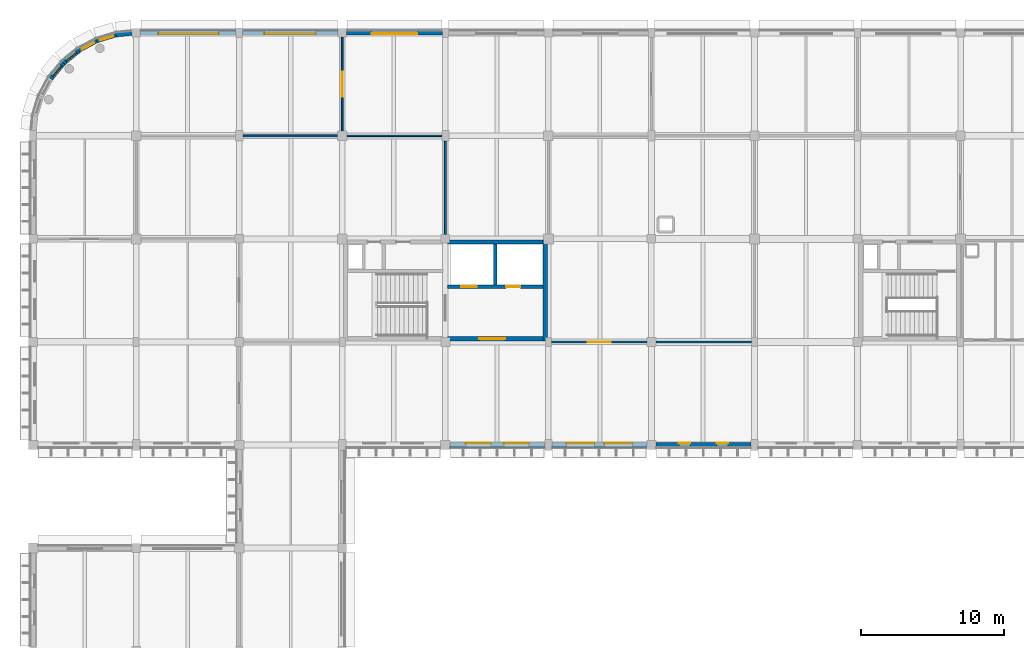
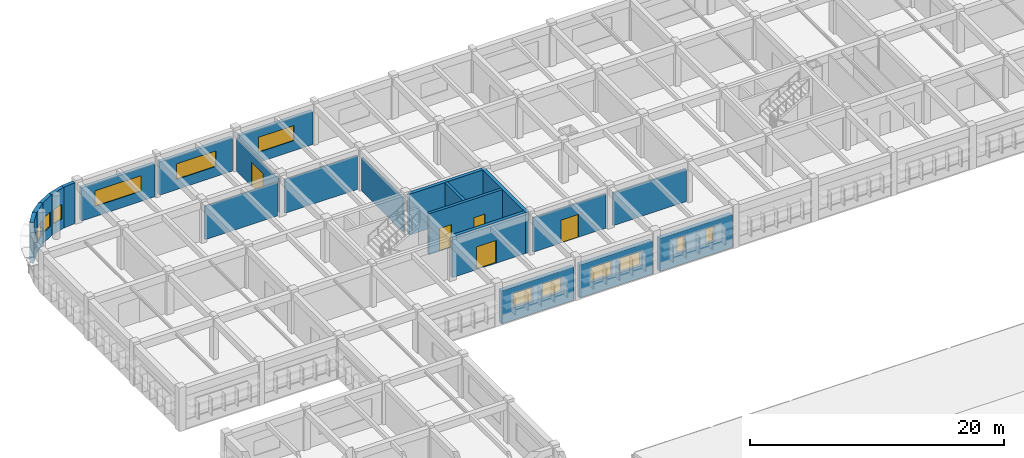
# One storey, part 87 of 103: 22 walls, 13 windows, 5 doors, 18 openings.
"""IFC4 building model written with IfcOpenShell, lengths in metres."""

from ifc_helpers import new_model, si_unit, direction, frame, frame_2d, origin, place, context, subcontext, project, spatial, rectangle, extrude, material, layer, layer_set, type_object, element, fill, save


model = new_model("IFC4")

# Units and contexts
model_context = context("Model", 3, precision=1e-05, world=origin(), true_north=direction((0.0, 1.0)))
body_context = subcontext(model_context, "Body", "Model", "MODEL_VIEW")
ifc_project = project(units=[si_unit("LENGTHUNIT", "METRE"), si_unit("AREAUNIT", "SQUARE_METRE"), si_unit("VOLUMEUNIT", "CUBIC_METRE"), si_unit("PLANEANGLEUNIT", "RADIAN"), si_unit("MASSUNIT", "GRAM", prefix="KILO")], contexts=[model_context])

# Site, building, storey
site_placement = place(None, origin())
site = spatial("IfcSite", under=ifc_project, at=site_placement, CompositionType="ELEMENT")
building_placement = place(site_placement, origin())
building = spatial("IfcBuilding", under=site, at=building_placement, Name="Thalmaran Polytechnic", CompositionType="ELEMENT")
storey_placement = place(building_placement, frame((0.0, 0.0, 14.39990234375)))
storey = spatial("IfcBuildingStorey", under=building, at=storey_placement, Name="L03", CompositionType="ELEMENT", Elevation=14.39990234375)

# Wall, opening, window
ifc_material_1 = material(Name="Precast concrete C40/50", Category="concrete")
ifc_layer_1 = layer(ifc_material_1, 0.360107421875, Name="Precast concrete C40/50")
ifc_layer_set_1 = layer_set([ifc_layer_1], Name="Precast concrete C40/50")
wall_type_1 = type_object("IfcWallType", Name="WL-EW01", PredefinedType="STANDARD", material=ifc_layer_set_1)
wall_1_placement = place(storey_placement, frame((1.21337890625, 119.2001953125, 0.0), z_axis=(0.0, 0.0, 1.0), x_axis=(0.634433227965, 0.772977670605, 0.0)))
wall_1 = element("IfcWall", 1, at=wall_1_placement, inside=storey, type_object=wall_type_1, Name="Exterior Precast Facade Wall L03-052", PredefinedType="STANDARD", context=body_context, shape_type="SweptSolid", body=[
    extrude(rectangle(XDim=1.41162109375, YDim=0.360107421875, at=frame_2d((0.705810546875, 0.0))), origin(), (0.0, 0.0, 1.0), 3.940185546875),
])
opening_1_placement = place(wall_1_placement, frame((0.2255859375, 0.0, 1.0)))
opening_1 = element("IfcOpeningElement", 2, at=opening_1_placement, cuts=wall_1, Name="Opening CR01", PredefinedType="OPENING", context=body_context, shape_type="SweptSolid", body=[
    extrude(rectangle(XDim=0.9599609375, YDim=1.39990234375, at=frame_2d((0.47998046875, 0.699951171875))), frame((0.0, 0.18994140625, 0.0), z_axis=(0.0, -1.0, 0.0), x_axis=(1.0, 0.0, 0.0)), (0.0, 0.0, 1.0), 0.380126953125),
])
ifc_material_2 = material(Name="Thermally broken aluminium and double low-E glass", Category="aluminium")
window_type_1 = type_object("IfcWindowType", Name="WN-CR01", PartitioningType="SINGLE_PANEL", PredefinedType="WINDOW", material=ifc_material_2)
window_1_placement = place(opening_1_placement, origin())
window_1 = element("IfcWindow", 3, at=window_1_placement, inside=storey, type_object=window_type_1, Name="Curved Prow Ribbon Window W-0458", OverallHeight=1.39990234375, OverallWidth=0.9599609375, PartitioningType="SINGLE_PANEL", PredefinedType="WINDOW", context=body_context, shape_type="SweptSolid", body=[
    extrude(rectangle(XDim=0.9599609375, YDim=1.39990234375, at=frame_2d((0.47998046875, 0.699951171875))), frame((0.0, -0.010009765625, 0.0), z_axis=(0.0, -1.0, 0.0), x_axis=(1.0, 0.0, 0.0)), (0.0, 0.0, 1.0), 0.06005859375),
])
fill(opening_1, window_1)

wall_2_placement = place(storey_placement, frame((2.10888671875, 120.291259765625, 0.0), z_axis=(0.0, 0.0, 1.0), x_axis=(0.773062495189, 0.63432986571, 0.0)))
wall_2 = element("IfcWall", 4, at=wall_2_placement, inside=storey, type_object=wall_type_1, Name="Exterior Precast Facade Wall L03-053", PredefinedType="STANDARD", context=body_context, shape_type="SweptSolid", body=[
    extrude(rectangle(XDim=1.411376953125, YDim=0.360107421875, at=frame_2d((0.70556640625, 0.0))), origin(), (0.0, 0.0, 1.0), 3.940185546875),
])
opening_2_placement = place(wall_2_placement, frame((0.2255859375, 0.0, 1.0)))
opening_2 = element("IfcOpeningElement", 5, at=opening_2_placement, cuts=wall_2, Name="Opening CR01", PredefinedType="OPENING", context=body_context, shape_type="SweptSolid", body=[
    extrude(rectangle(XDim=0.9599609375, YDim=1.39990234375, at=frame_2d((0.47998046875, 0.699951171875))), frame((0.0, 0.18994140625, 0.0), z_axis=(0.0, -1.0, 0.0), x_axis=(1.0, 0.0, 0.0)), (0.0, 0.0, 1.0), 0.380126953125),
])
window_2_placement = place(opening_2_placement, origin())
window_2 = element("IfcWindow", 6, at=window_2_placement, inside=storey, type_object=window_type_1, Name="Curved Prow Ribbon Window W-0459", OverallHeight=1.39990234375, OverallWidth=0.9599609375, PartitioningType="SINGLE_PANEL", PredefinedType="WINDOW", context=body_context, shape_type="SweptSolid", body=[
    extrude(rectangle(XDim=0.9599609375, YDim=1.39990234375, at=frame_2d((0.47998046875, 0.699951171875))), frame((0.0, -0.010009765625, 0.0), z_axis=(0.0, -1.0, 0.0), x_axis=(1.0, 0.0, 0.0)), (0.0, 0.0, 1.0), 0.06005859375),
])
fill(opening_2, window_2)

# Wall, openings, windows
wall_3_placement = place(storey_placement, frame((50.14990234375, 93.60009765625, 0.0), z_axis=(0.0, 0.0, 1.0), x_axis=(-1.0, 0.0, 0.0)))
wall_3 = element("IfcWall", 7, at=wall_3_placement, inside=storey, type_object=wall_type_1, Name="Exterior Precast Facade Wall L03-085", PredefinedType="STANDARD", context=body_context, shape_type="SweptSolid", body=[
    extrude(rectangle(XDim=6.625, YDim=0.360107421875, at=frame_2d((3.3125, 0.0))), origin(), (0.0, 0.0, 1.0), 3.18505859375),
])
opening_3_placement = place(wall_3_placement, frame((1.58740234375, 0.0, 1.14990234375)))
opening_3 = element("IfcOpeningElement", 8, at=opening_3_placement, cuts=wall_3, Name="Opening PW16", PredefinedType="OPENING", context=body_context, shape_type="SweptSolid", body=[
    extrude(rectangle(XDim=0.800048828125, YDim=1.5, at=frame_2d((0.39990234375, 0.75))), frame((0.0, 0.18994140625, 0.0), z_axis=(0.0, -1.0, 0.0), x_axis=(1.0, 0.0, 0.0)), (0.0, 0.0, 1.0), 0.380126953125),
])
opening_4_placement = place(wall_3_placement, frame((4.237548828125, 0.0, 1.14990234375)))
opening_4 = element("IfcOpeningElement", 9, at=opening_4_placement, cuts=wall_3, Name="Opening PW16", PredefinedType="OPENING", context=body_context, shape_type="SweptSolid", body=[
    extrude(rectangle(XDim=0.800048828125, YDim=1.5, at=frame_2d((0.39990234375, 0.75))), frame((0.0, 0.18994140625, 0.0), z_axis=(0.0, -1.0, 0.0), x_axis=(1.0, 0.0, 0.0)), (0.0, 0.0, 1.0), 0.380126953125),
])
window_type_2 = type_object("IfcWindowType", Name="WN-PW06", PartitioningType="SINGLE_PANEL", PredefinedType="WINDOW", material=ifc_material_2)
window_3_placement = place(opening_3_placement, origin())
window_3 = element("IfcWindow", 10, at=window_3_placement, inside=storey, type_object=window_type_2, Name="Deep-Set Solar-Screened Window W-0499", OverallHeight=1.5, OverallWidth=0.800048828125, PartitioningType="SINGLE_PANEL", PredefinedType="WINDOW", context=body_context, shape_type="SweptSolid", body=[
    extrude(rectangle(XDim=0.800048828125, YDim=1.5, at=frame_2d((0.39990234375, 0.75))), frame((0.0, -0.080078125, 0.0), z_axis=(0.0, -1.0, 0.0), x_axis=(1.0, 0.0, 0.0)), (0.0, 0.0, 1.0), 0.06005859375),
])
fill(opening_3, window_3)
window_4_placement = place(opening_4_placement, origin())
window_4 = element("IfcWindow", 11, at=window_4_placement, inside=storey, type_object=window_type_2, Name="Deep-Set Solar-Screened Window W-0500", OverallHeight=1.5, OverallWidth=0.800048828125, PartitioningType="SINGLE_PANEL", PredefinedType="WINDOW", context=body_context, shape_type="SweptSolid", body=[
    extrude(rectangle(XDim=0.800048828125, YDim=1.5, at=frame_2d((0.39990234375, 0.75))), frame((0.0, -0.080078125, 0.0), z_axis=(0.0, -1.0, 0.0), x_axis=(1.0, 0.0, 0.0)), (0.0, 0.0, 1.0), 0.06005859375),
])
fill(opening_4, window_4)

wall_4_placement = place(storey_placement, frame((42.875, 93.60009765625, 0.0), z_axis=(0.0, 0.0, 1.0), x_axis=(-1.0, 0.0, 0.0)))
wall_4 = element("IfcWall", 12, at=wall_4_placement, inside=storey, type_object=wall_type_1, Name="Exterior Precast Facade Wall L03-086", PredefinedType="STANDARD", context=body_context, shape_type="SweptSolid", body=[
    extrude(rectangle(XDim=6.625, YDim=0.360107421875, at=frame_2d((3.3125, 0.0))), origin(), (0.0, 0.0, 1.0), 3.18505859375),
])
opening_5_placement = place(wall_4_placement, frame((1.012451171875, 0.0, 1.14990234375)))
opening_5 = element("IfcOpeningElement", 13, at=opening_5_placement, cuts=wall_4, Name="Opening VW07", PredefinedType="OPENING", context=body_context, shape_type="SweptSolid", body=[
    extrude(rectangle(XDim=1.949951171875, YDim=1.39990234375, at=frame_2d((0.97509765625, 0.699951171875))), frame((0.0, 0.18994140625, 0.0), z_axis=(0.0, -1.0, 0.0), x_axis=(1.0, 0.0, 0.0)), (0.0, 0.0, 1.0), 0.380126953125),
])
opening_6_placement = place(wall_4_placement, frame((3.66259765625, 0.0, 1.14990234375)))
opening_6 = element("IfcOpeningElement", 14, at=opening_6_placement, cuts=wall_4, Name="Opening VW07", PredefinedType="OPENING", context=body_context, shape_type="SweptSolid", body=[
    extrude(rectangle(XDim=1.949951171875, YDim=1.39990234375, at=frame_2d((0.97509765625, 0.699951171875))), frame((0.0, 0.18994140625, 0.0), z_axis=(0.0, -1.0, 0.0), x_axis=(1.0, 0.0, 0.0)), (0.0, 0.0, 1.0), 0.380126953125),
])
window_type_3 = type_object("IfcWindowType", Name="WN-VZ07", PartitioningType="SINGLE_PANEL", PredefinedType="WINDOW", material=ifc_material_2)
window_5_placement = place(opening_5_placement, origin())
window_5 = element("IfcWindow", 15, at=window_5_placement, inside=storey, type_object=window_type_3, Name="Deep-Set Solar-Screened Window W-0501", OverallHeight=1.39990234375, OverallWidth=1.949951171875, PartitioningType="SINGLE_PANEL", PredefinedType="WINDOW", context=body_context, shape_type="SweptSolid", body=[
    extrude(rectangle(XDim=1.949951171875, YDim=1.39990234375, at=frame_2d((0.97509765625, 0.699951171875))), frame((0.0, -0.080078125, 0.0), z_axis=(0.0, -1.0, 0.0), x_axis=(1.0, 0.0, 0.0)), (0.0, 0.0, 1.0), 0.06005859375),
])
fill(opening_5, window_5)
window_6_placement = place(opening_6_placement, origin())
window_6 = element("IfcWindow", 16, at=window_6_placement, inside=storey, type_object=window_type_3, Name="Deep-Set Solar-Screened Window W-0502", OverallHeight=1.39990234375, OverallWidth=1.949951171875, PartitioningType="SINGLE_PANEL", PredefinedType="WINDOW", context=body_context, shape_type="SweptSolid", body=[
    extrude(rectangle(XDim=1.949951171875, YDim=1.39990234375, at=frame_2d((0.97509765625, 0.699951171875))), frame((0.0, -0.080078125, 0.0), z_axis=(0.0, -1.0, 0.0), x_axis=(1.0, 0.0, 0.0)), (0.0, 0.0, 1.0), 0.06005859375),
])
fill(opening_6, window_6)

wall_5_placement = place(storey_placement, frame((35.75, 93.60009765625, 0.0), z_axis=(0.0, 0.0, 1.0), x_axis=(-1.0, 0.0, 0.0)))
wall_5 = element("IfcWall", 17, at=wall_5_placement, inside=storey, type_object=wall_type_1, Name="Exterior Precast Facade Wall L03-087", PredefinedType="STANDARD", context=body_context, shape_type="SweptSolid", body=[
    extrude(rectangle(XDim=6.625, YDim=0.360107421875, at=frame_2d((3.3125, 0.0))), origin(), (0.0, 0.0, 1.0), 3.18505859375),
])
opening_7_placement = place(wall_5_placement, frame((1.112548828125, 0.0, 1.14990234375)))
opening_7 = element("IfcOpeningElement", 18, at=opening_7_placement, cuts=wall_5, Name="Opening VW08", PredefinedType="OPENING", context=body_context, shape_type="SweptSolid", body=[
    extrude(rectangle(XDim=1.75, YDim=1.39990234375, at=frame_2d((0.875, 0.699951171875))), frame((0.0, 0.18994140625, 0.0), z_axis=(0.0, -1.0, 0.0), x_axis=(1.0, 0.0, 0.0)), (0.0, 0.0, 1.0), 0.380126953125),
])
opening_8_placement = place(wall_5_placement, frame((3.762451171875, 0.0, 1.14990234375)))
opening_8 = element("IfcOpeningElement", 19, at=opening_8_placement, cuts=wall_5, Name="Opening VW08", PredefinedType="OPENING", context=body_context, shape_type="SweptSolid", body=[
    extrude(rectangle(XDim=1.75, YDim=1.39990234375, at=frame_2d((0.875, 0.699951171875))), frame((0.0, 0.18994140625, 0.0), z_axis=(0.0, -1.0, 0.0), x_axis=(1.0, 0.0, 0.0)), (0.0, 0.0, 1.0), 0.380126953125),
])
window_type_4 = type_object("IfcWindowType", Name="WN-VZ08", PartitioningType="SINGLE_PANEL", PredefinedType="WINDOW", material=ifc_material_2)
window_7_placement = place(opening_7_placement, origin())
window_7 = element("IfcWindow", 20, at=window_7_placement, inside=storey, type_object=window_type_4, Name="Deep-Set Solar-Screened Window W-0503", OverallHeight=1.39990234375, OverallWidth=1.75, PartitioningType="SINGLE_PANEL", PredefinedType="WINDOW", context=body_context, shape_type="SweptSolid", body=[
    extrude(rectangle(XDim=1.75, YDim=1.39990234375, at=frame_2d((0.875, 0.699951171875))), frame((0.0, -0.080078125, 0.0), z_axis=(0.0, -1.0, 0.0), x_axis=(1.0, 0.0, 0.0)), (0.0, 0.0, 1.0), 0.06005859375),
])
fill(opening_7, window_7)
window_8_placement = place(opening_8_placement, origin())
window_8 = element("IfcWindow", 21, at=window_8_placement, inside=storey, type_object=window_type_4, Name="Deep-Set Solar-Screened Window W-0504", OverallHeight=1.39990234375, OverallWidth=1.75, PartitioningType="SINGLE_PANEL", PredefinedType="WINDOW", context=body_context, shape_type="SweptSolid", body=[
    extrude(rectangle(XDim=1.75, YDim=1.39990234375, at=frame_2d((0.875, 0.699951171875))), frame((0.0, -0.080078125, 0.0), z_axis=(0.0, -1.0, 0.0), x_axis=(1.0, 0.0, 0.0)), (0.0, 0.0, 1.0), 0.06005859375),
])
fill(opening_8, window_8)

# Wall, opening, window
ifc_layer_2 = layer(ifc_material_1, 0.31005859375, Name="Precast concrete C40/50")
ifc_layer_set_2 = layer_set([ifc_layer_2], Name="Precast concrete C40/50")
wall_type_2 = type_object("IfcWallType", Name="WL-EW03", PredefinedType="STANDARD", material=ifc_layer_set_2)
wall_6_placement = place(storey_placement, frame((3.199951171875, 121.1865234375, 0.0), z_axis=(0.0, 0.0, 1.0), x_axis=(0.881844864465, 0.471539643102, 0.0)))
wall_6 = element("IfcWall", 22, at=wall_6_placement, inside=storey, type_object=wall_type_2, Name="Exterior Precast Facade Wall L03-054", PredefinedType="STANDARD", context=body_context, shape_type="SweptSolid", body=[
    extrude(rectangle(XDim=1.411376953125, YDim=0.31005859375, at=frame_2d((0.70556640625, 0.0))), origin(), (0.0, 0.0, 1.0), 3.940185546875),
])
opening_9_placement = place(wall_6_placement, frame((0.2255859375, 0.0, 1.0)))
opening_9 = element("IfcOpeningElement", 23, at=opening_9_placement, cuts=wall_6, Name="Opening CR01", PredefinedType="OPENING", context=body_context, shape_type="SweptSolid", body=[
    extrude(rectangle(XDim=0.9599609375, YDim=1.39990234375, at=frame_2d((0.47998046875, 0.699951171875))), frame((0.0, 0.1650390625, 0.0), z_axis=(0.0, -1.0, 0.0), x_axis=(1.0, 0.0, 0.0)), (0.0, 0.0, 1.0), 0.330078125),
])
window_9_placement = place(opening_9_placement, origin())
window_9 = element("IfcWindow", 24, at=window_9_placement, inside=storey, type_object=window_type_1, Name="Curved Prow Ribbon Window W-0460", OverallHeight=1.39990234375, OverallWidth=0.9599609375, PartitioningType="SINGLE_PANEL", PredefinedType="WINDOW", context=body_context, shape_type="SweptSolid", body=[
    extrude(rectangle(XDim=0.9599609375, YDim=1.39990234375, at=frame_2d((0.47998046875, 0.699951171875))), frame((0.0, -0.010009765625, 0.0), z_axis=(0.0, -1.0, 0.0), x_axis=(1.0, 0.0, 0.0)), (0.0, 0.0, 1.0), 0.06005859375),
])
fill(opening_9, window_9)

wall_7_placement = place(storey_placement, frame((4.444580078125, 121.85205078125, 0.0), z_axis=(0.0, 0.0, 1.0), x_axis=(0.95696037757, 0.290218599957, 0.0)))
wall_7 = element("IfcWall", 25, at=wall_7_placement, inside=storey, type_object=wall_type_2, Name="Exterior Precast Facade Wall L03-055", PredefinedType="STANDARD", context=body_context, shape_type="SweptSolid", body=[
    extrude(rectangle(XDim=1.41162109375, YDim=0.31005859375, at=frame_2d((0.705810546875, 0.0))), origin(), (0.0, 0.0, 1.0), 3.940185546875),
])
opening_10_placement = place(wall_7_placement, frame((0.2255859375, 0.0, 1.0)))
opening_10 = element("IfcOpeningElement", 26, at=opening_10_placement, cuts=wall_7, Name="Opening CR01", PredefinedType="OPENING", context=body_context, shape_type="SweptSolid", body=[
    extrude(rectangle(XDim=0.9599609375, YDim=1.39990234375, at=frame_2d((0.47998046875, 0.699951171875))), frame((0.0, 0.1650390625, 0.0), z_axis=(0.0, -1.0, 0.0), x_axis=(1.0, 0.0, 0.0)), (0.0, 0.0, 1.0), 0.330078125),
])
window_10_placement = place(opening_10_placement, origin())
window_10 = element("IfcWindow", 27, at=window_10_placement, inside=storey, type_object=window_type_1, Name="Curved Prow Ribbon Window W-0461", OverallHeight=1.39990234375, OverallWidth=0.9599609375, PartitioningType="SINGLE_PANEL", PredefinedType="WINDOW", context=body_context, shape_type="SweptSolid", body=[
    extrude(rectangle(XDim=0.9599609375, YDim=1.39990234375, at=frame_2d((0.47998046875, 0.699951171875))), frame((0.0, -0.010009765625, 0.0), z_axis=(0.0, -1.0, 0.0), x_axis=(1.0, 0.0, 0.0)), (0.0, 0.0, 1.0), 0.06005859375),
])
fill(opening_10, window_10)

# Wall
wall_8_placement = place(storey_placement, frame((5.79541015625, 122.26171875, 0.0), z_axis=(0.0, 0.0, 1.0), x_axis=(0.99518962033, 0.097967441467, 0.0)))
element("IfcWall", 28, at=wall_8_placement, inside=storey, type_object=wall_type_2, Name="Exterior Precast Facade Wall L03-056", PredefinedType="STANDARD", context=body_context, shape_type="SweptSolid", body=[
    extrude(rectangle(XDim=1.1015625, YDim=0.31005859375, at=frame_2d((0.55078125, 0.0))), origin(), (0.0, 0.0, 1.0), 3.940185546875),
])

# Wall, opening, window
wall_9_placement = place(storey_placement, frame((7.510009765625, 122.39990234375, 0.0), z_axis=(0.0, 0.0, 1.0), x_axis=(1.0, 0.0, 0.0)))
wall_9 = element("IfcWall", 29, at=wall_9_placement, inside=storey, type_object=wall_type_2, Name="Exterior Precast Facade Wall L03-057", PredefinedType="STANDARD", context=body_context, shape_type="SweptSolid", body=[
    extrude(rectangle(XDim=6.679931640625, YDim=0.31005859375, at=frame_2d((3.33984375, 0.0))), origin(), (0.0, 0.0, 1.0), 3.18505859375),
])
opening_11_placement = place(wall_9_placement, frame((1.239990234375, 0.0, 0.97998046875)))
opening_11 = element("IfcOpeningElement", 30, at=opening_11_placement, cuts=wall_9, Name="Opening RW02", PredefinedType="OPENING", context=body_context, shape_type="SweptSolid", body=[
    extrude(rectangle(XDim=4.199951171875, YDim=1.5, at=frame_2d((2.10009765625, 0.75))), frame((0.0, 0.1650390625, 0.0), z_axis=(0.0, -1.0, 0.0), x_axis=(1.0, 0.0, 0.0)), (0.0, 0.0, 1.0), 0.330078125),
])
window_type_5 = type_object("IfcWindowType", Name="WN-RW02", PartitioningType="TRIPLE_PANEL_HORIZONTAL", PredefinedType="WINDOW", material=ifc_material_2)
window_11_placement = place(opening_11_placement, origin())
window_11 = element("IfcWindow", 31, at=window_11_placement, inside=storey, type_object=window_type_5, Name="Streamline Ribbon Window W-0462", OverallHeight=1.5, OverallWidth=4.199951171875, PartitioningType="SINGLE_PANEL", PredefinedType="WINDOW", context=body_context, shape_type="SweptSolid", body=[
    extrude(rectangle(XDim=4.199951171875, YDim=1.5, at=frame_2d((2.10009765625, 0.75))), frame((0.0, -0.030029296875, 0.0), z_axis=(0.0, -1.0, 0.0), x_axis=(1.0, 0.0, 0.0)), (0.0, 0.0, 1.0), 0.06005859375),
])
fill(opening_11, window_11)

wall_10_placement = place(storey_placement, frame((14.610107421875, 122.39990234375, 0.0), z_axis=(0.0, 0.0, 1.0), x_axis=(1.0, 0.0, 0.0)))
wall_10 = element("IfcWall", 32, at=wall_10_placement, inside=storey, type_object=wall_type_2, Name="Exterior Precast Facade Wall L03-058", PredefinedType="STANDARD", context=body_context, shape_type="SweptSolid", body=[
    extrude(rectangle(XDim=6.679931640625, YDim=0.31005859375, at=frame_2d((3.33984375, 0.0))), origin(), (0.0, 0.0, 1.0), 3.18505859375),
])
opening_12_placement = place(wall_10_placement, frame((1.5400390625, 0.0, 0.97998046875)))
opening_12 = element("IfcOpeningElement", 33, at=opening_12_placement, cuts=wall_10, Name="Opening RW03", PredefinedType="OPENING", context=body_context, shape_type="SweptSolid", body=[
    extrude(rectangle(XDim=3.60009765625, YDim=1.5, at=frame_2d((1.800048828125, 0.75))), frame((0.0, 0.1650390625, 0.0), z_axis=(0.0, -1.0, 0.0), x_axis=(1.0, 0.0, 0.0)), (0.0, 0.0, 1.0), 0.330078125),
])
window_type_6 = type_object("IfcWindowType", Name="WN-RW03", PartitioningType="DOUBLE_PANEL_VERTICAL", PredefinedType="WINDOW", material=ifc_material_2)
window_12_placement = place(opening_12_placement, origin())
window_12 = element("IfcWindow", 34, at=window_12_placement, inside=storey, type_object=window_type_6, Name="Streamline Ribbon Window W-0463", OverallHeight=1.5, OverallWidth=3.60009765625, PartitioningType="SINGLE_PANEL", PredefinedType="WINDOW", context=body_context, shape_type="SweptSolid", body=[
    extrude(rectangle(XDim=3.60009765625, YDim=1.5, at=frame_2d((1.800048828125, 0.75))), frame((0.0, -0.030029296875, 0.0), z_axis=(0.0, -1.0, 0.0), x_axis=(1.0, 0.0, 0.0)), (0.0, 0.0, 1.0), 0.06005859375),
])
fill(opening_12, window_12)

wall_11_placement = place(storey_placement, frame((21.909912109375, 122.39990234375, 0.0), z_axis=(0.0, 0.0, 1.0), x_axis=(1.0, 0.0, 0.0)))
wall_11 = element("IfcWall", 35, at=wall_11_placement, inside=storey, type_object=wall_type_2, Name="Exterior Precast Facade Wall L03-059", PredefinedType="STANDARD", context=body_context, shape_type="SweptSolid", body=[
    extrude(rectangle(XDim=6.68017578125, YDim=0.31005859375, at=frame_2d((3.340087890625, 0.0))), origin(), (0.0, 0.0, 1.0), 3.18505859375),
])
opening_13_placement = place(wall_11_placement, frame((1.739990234375, 0.0, 0.97998046875)))
opening_13 = element("IfcOpeningElement", 36, at=opening_13_placement, cuts=wall_11, Name="Opening RW04", PredefinedType="OPENING", context=body_context, shape_type="SweptSolid", body=[
    extrude(rectangle(XDim=3.199951171875, YDim=1.449951171875, at=frame_2d((1.60009765625, 0.72509765625))), frame((0.0, 0.1650390625, 0.0), z_axis=(0.0, -1.0, 0.0), x_axis=(1.0, 0.0, 0.0)), (0.0, 0.0, 1.0), 0.330078125),
])
window_type_7 = type_object("IfcWindowType", Name="WN-RW04", PartitioningType="DOUBLE_PANEL_VERTICAL", PredefinedType="WINDOW", material=ifc_material_2)
window_13_placement = place(opening_13_placement, origin())
window_13 = element("IfcWindow", 37, at=window_13_placement, inside=storey, type_object=window_type_7, Name="Streamline Ribbon Window W-0464", OverallHeight=1.449951171875, OverallWidth=3.199951171875, PartitioningType="SINGLE_PANEL", PredefinedType="WINDOW", context=body_context, shape_type="SweptSolid", body=[
    extrude(rectangle(XDim=3.199951171875, YDim=1.449951171875, at=frame_2d((1.60009765625, 0.72509765625))), frame((0.0, -0.030029296875, 0.0), z_axis=(0.0, -1.0, 0.0), x_axis=(1.0, 0.0, 0.0)), (0.0, 0.0, 1.0), 0.06005859375),
])
fill(opening_13, window_13)

# Wall
ifc_material_3 = material(Name="Autoclaved aerated masonry", Category="masonry")
ifc_layer_3 = layer(ifc_material_3, 0.25, Name="Autoclaved aerated masonry")
ifc_layer_set_3 = layer_set([ifc_layer_3], Name="Autoclaved aerated masonry")
wall_type_3 = type_object("IfcWallType", Name="WL-IW01", PredefinedType="PARTITIONING", material=ifc_layer_set_3)
wall_12_placement = place(storey_placement, frame((32.300048828125, 104.780029296875, 0.0), z_axis=(0.0, 0.0, 1.0), x_axis=(0.0, 1.0, 0.0)))
element("IfcWall", 38, at=wall_12_placement, inside=storey, type_object=wall_type_3, Name="Core C2 Shaft Dividing Wall L03", PredefinedType="PARTITIONING", context=body_context, shape_type="SweptSolid", body=[
    extrude(rectangle(XDim=2.869873046875, YDim=0.25, at=frame_2d((1.43505859375, 0.0))), origin(), (0.0, 0.0, 1.0), 3.940185546875),
])

# Wall, opening, door
ifc_material_4 = material(Name="Gypsum acoustic partition")
ifc_layer_4 = layer(ifc_material_4, 0.159912109375, Name="Gypsum acoustic partition")
ifc_layer_set_4 = layer_set([ifc_layer_4], Name="Gypsum acoustic partition")
wall_type_4 = type_object("IfcWallType", Name="WL-IW05", PredefinedType="PARTITIONING", material=ifc_layer_set_4)
wall_13_placement = place(storey_placement, frame((36.215087890625, 100.800048828125, 0.0), z_axis=(0.0, 0.0, 1.0), x_axis=(1.0, 0.0, 0.0)))
wall_13 = element("IfcWall", 39, at=wall_13_placement, inside=storey, type_object=wall_type_4, Name="Interior Partition IW05 L03-036", PredefinedType="PARTITIONING", context=body_context, shape_type="SweptSolid", body=[
    extrude(rectangle(XDim=6.669921875, YDim=0.159912109375, at=frame_2d((3.3349609375, 0.0))), origin(), (0.0, 0.0, 1.0), 3.300048828125),
])
opening_14_placement = place(wall_13_placement, frame((2.534912109375, 0.0, 0.0)))
opening_14 = element("IfcOpeningElement", 40, at=opening_14_placement, cuts=wall_13, Name="Opening D-L03-012-2-03-1", PredefinedType="OPENING", context=body_context, shape_type="SweptSolid", body=[
    extrude(rectangle(XDim=1.60009765625, YDim=2.199951171875, at=frame_2d((0.800048828125, 1.10009765625))), frame((0.0, 0.08984375, 0.0), z_axis=(0.0, -1.0, 0.0), x_axis=(1.0, 0.0, 0.0)), (0.0, 0.0, 1.0), 0.179931640625),
])
ifc_material_5 = material(Name="Powder-coated fire-rated steel", Category="steel")
door_type_1 = type_object("IfcDoorType", Name="DR-FD05", OperationType="NOTDEFINED", PredefinedType="DOOR", material=ifc_material_5)
door_1_placement = place(opening_14_placement, origin())
door_1 = element("IfcDoor", 41, at=door_1_placement, inside=storey, type_object=door_type_1, Name="Polytechnic Library Reading Hall L03-03 Door 1", OperationType="DOUBLE_DOOR_SINGLE_SWING", OverallHeight=2.199951171875, OverallWidth=1.60009765625, PredefinedType="DOOR", context=body_context, shape_type="SweptSolid", body=[
    extrude(rectangle(XDim=1.60009765625, YDim=2.199951171875, at=frame_2d((0.800048828125, 1.10009765625))), frame((0.0, 0.02490234375, 0.0), z_axis=(0.0, -1.0, 0.0), x_axis=(1.0, 0.0, 0.0)), (0.0, 0.0, 1.0), 0.050048828125),
])
fill(opening_14, door_1)

# Walls
wall_14_placement = place(storey_placement, frame((43.514892578125, 100.800048828125, 0.0), z_axis=(0.0, 0.0, 1.0), x_axis=(1.0, 0.0, 0.0)))
element("IfcWall", 42, at=wall_14_placement, inside=storey, type_object=wall_type_4, Name="Interior Partition IW05 L03-039", PredefinedType="PARTITIONING", context=body_context, shape_type="SweptSolid", body=[
    extrude(rectangle(XDim=6.670166015625, YDim=0.159912109375, at=frame_2d((3.3349609375, 0.0))), origin(), (0.0, 0.0, 1.0), 3.14013671875),
])
ifc_layer_5 = layer(ifc_material_4, 0.1298828125, Name="Gypsum acoustic partition")
ifc_layer_set_5 = layer_set([ifc_layer_5], Name="Gypsum acoustic partition")
wall_type_5 = type_object("IfcWallType", Name="WL-IW07", PredefinedType="PARTITIONING", material=ifc_layer_set_5)
wall_15_placement = place(storey_placement, frame((14.655029296875, 115.199951171875, 0.0), z_axis=(0.0, 0.0, 1.0), x_axis=(1.0, 0.0, 0.0)))
element("IfcWall", 43, at=wall_15_placement, inside=storey, type_object=wall_type_5, Name="Interior Partition IW07 L03-028", PredefinedType="PARTITIONING", context=body_context, shape_type="SweptSolid", body=[
    extrude(rectangle(XDim=6.614990234375, YDim=0.1298828125, at=frame_2d((3.3076171875, 0.0))), origin(), (0.0, 0.0, 1.0), 3.239990234375),
])
wall_16_placement = place(storey_placement, frame((28.800048828125, 108.304931640625, 0.0), z_axis=(0.0, 0.0, 1.0), x_axis=(0.0, 1.0, 0.0)))
element("IfcWall", 44, at=wall_16_placement, inside=storey, type_object=wall_type_5, Name="Interior Partition IW07 L03-032", PredefinedType="PARTITIONING", context=body_context, shape_type="SweptSolid", body=[
    extrude(rectangle(XDim=6.51513671875, YDim=0.1298828125, at=frame_2d((3.257568359375, 0.0))), origin(), (0.0, 0.0, 1.0), 3.2451171875),
])

# Wall, opening, door
ifc_layer_6 = layer(ifc_material_4, 0.114990234375, Name="Gypsum acoustic partition")
ifc_layer_set_6 = layer_set([ifc_layer_6], Name="Gypsum acoustic partition")
wall_type_6 = type_object("IfcWallType", Name="WL-IW08", PredefinedType="PARTITIONING", material=ifc_layer_set_6)
wall_17_placement = place(storey_placement, frame((21.60009765625, 115.530029296875, 0.0), z_axis=(0.0, 0.0, 1.0), x_axis=(0.0, 1.0, 0.0)))
wall_17 = element("IfcWall", 45, at=wall_17_placement, inside=storey, type_object=wall_type_6, Name="Interior Partition IW08 L03-029", PredefinedType="PARTITIONING", context=body_context, shape_type="SweptSolid", body=[
    extrude(rectangle(XDim=6.554931640625, YDim=0.114990234375, at=frame_2d((3.27734375, 0.0))), origin(), (0.0, 0.0, 1.0), 3.2451171875),
])
opening_15_placement = place(wall_17_placement, frame((2.3974609375, 0.0, 0.0)))
opening_15 = element("IfcOpeningElement", 46, at=opening_15_placement, cuts=wall_17, Name="Opening D-L03-017-2-07-1", PredefinedType="OPENING", context=body_context, shape_type="SweptSolid", body=[
    extrude(rectangle(XDim=1.760009765625, YDim=2.300048828125, at=frame_2d((0.8798828125, 1.14990234375))), frame((0.0, 0.0673828125, 0.0), z_axis=(0.0, -1.0, 0.0), x_axis=(1.0, 0.0, 0.0)), (0.0, 0.0, 1.0), 0.135009765625),
])
ifc_material_6 = material(Name="Acoustic hardwood and vision glass", Category="wood")
door_type_2 = type_object("IfcDoorType", Name="DR-ZD02", OperationType="NOTDEFINED", PredefinedType="DOOR", material=ifc_material_6)
door_2_placement = place(opening_15_placement, origin())
door_2 = element("IfcDoor", 47, at=door_2_placement, inside=storey, type_object=door_type_2, Name="Urban Design Studio L03-07 Door 1", OperationType="SINGLE_SWING_RIGHT", OverallHeight=2.300048828125, OverallWidth=1.760009765625, PredefinedType="DOOR", context=body_context, shape_type="SweptSolid", body=[
    extrude(rectangle(XDim=1.760009765625, YDim=2.300048828125, at=frame_2d((0.8798828125, 1.14990234375))), frame((0.0, 0.02490234375, 0.0), z_axis=(0.0, -1.0, 0.0), x_axis=(1.0, 0.0, 0.0)), (0.0, 0.0, 1.0), 0.050048828125),
])
fill(opening_15, door_2)

# Wall
wall_18_placement = place(storey_placement, frame((21.929931640625, 115.199951171875, 0.0), z_axis=(0.0, 0.0, 1.0), x_axis=(1.0, 0.0, 0.0)))
element("IfcWall", 48, at=wall_18_placement, inside=storey, type_object=wall_type_6, Name="Interior Partition IW08 L03-033", PredefinedType="PARTITIONING", context=body_context, shape_type="SweptSolid", body=[
    extrude(rectangle(XDim=6.614990234375, YDim=0.114990234375, at=frame_2d((3.3076171875, 0.0))), origin(), (0.0, 0.0, 1.0), 3.280029296875),
])

# Wall, opening, door
ifc_material_7 = material(Name="Concrete C50/60", Category="concrete")
ifc_layer_7 = layer(ifc_material_7, 0.300048828125, Name="Concrete C50/60")
ifc_layer_set_7 = layer_set([ifc_layer_7], Name="Concrete C50/60")
wall_type_7 = type_object("IfcWallType", Name="WL-SW04", PredefinedType="SHEAR", material=ifc_layer_set_7)
wall_19_placement = place(storey_placement, frame((28.949951171875, 101.02001953125, 0.0), z_axis=(0.0, 0.0, 1.0), x_axis=(1.0, 0.0, 0.0)))
wall_19 = element("IfcWall", 49, at=wall_19_placement, inside=storey, type_object=wall_type_7, Name="Core C2 Lobby South Wall L03", PredefinedType="SHEAR", context=body_context, shape_type="SweptSolid", body=[
    extrude(rectangle(XDim=6.679931640625, YDim=0.300048828125, at=frame_2d((3.33984375, 0.0))), origin(), (0.0, 0.0, 1.0), 3.940185546875),
])
opening_16_placement = place(wall_19_placement, frame((2.219970703125, 0.0, 0.0)))
opening_16 = element("IfcOpeningElement", 50, at=opening_16_placement, cuts=wall_19, Name="Opening FD-C2-L03", PredefinedType="OPENING", context=body_context, shape_type="SweptSolid", body=[
    extrude(rectangle(XDim=1.800048828125, YDim=2.199951171875, at=frame_2d((0.89990234375, 1.10009765625))), frame((0.0, 0.159912109375, 0.0), z_axis=(0.0, -1.0, 0.0), x_axis=(1.0, 0.0, 0.0)), (0.0, 0.0, 1.0), 0.320068359375),
])
door_type_3 = type_object("IfcDoorType", Name="DR-FD01", OperationType="NOTDEFINED", PredefinedType="DOOR", material=ifc_material_5)
door_3_placement = place(opening_16_placement, origin())
door_3 = element("IfcDoor", 51, at=door_3_placement, inside=storey, type_object=door_type_3, Name="Firefighting Lift Lobby Entrance Door C2 L03", OperationType="DOUBLE_DOOR_SINGLE_SWING", OverallHeight=2.199951171875, OverallWidth=1.800048828125, PredefinedType="DOOR", context=body_context, shape_type="SweptSolid", body=[
    extrude(rectangle(XDim=1.800048828125, YDim=2.199951171875, at=frame_2d((0.89990234375, 1.10009765625))), frame((0.0, 0.02490234375, 0.0), z_axis=(0.0, -1.0, 0.0), x_axis=(1.0, 0.0, 0.0)), (0.0, 0.0, 1.0), 0.050048828125),
])
fill(opening_16, door_3)

# Walls
wall_20_placement = place(storey_placement, frame((35.780029296875, 100.8701171875, 0.0), z_axis=(0.0, 0.0, 1.0), x_axis=(0.0, 1.0, 0.0)))
element("IfcWall", 52, at=wall_20_placement, inside=storey, type_object=wall_type_7, Name="Core C2 Lobby East Shear Wall L03", PredefinedType="SHEAR", context=body_context, shape_type="SweptSolid", body=[
    extrude(rectangle(XDim=7.059814453125, YDim=0.300048828125, at=frame_2d((3.52978515625, 0.0))), origin(), (0.0, 0.0, 1.0), 3.940185546875),
])
wall_21_placement = place(storey_placement, frame((28.949951171875, 107.780029296875, 0.0), z_axis=(0.0, 0.0, 1.0), x_axis=(1.0, 0.0, 0.0)))
element("IfcWall", 53, at=wall_21_placement, inside=storey, type_object=wall_type_7, Name="Core C2 Lift Shaft Back Shear Wall L03", PredefinedType="SHEAR", context=body_context, shape_type="SweptSolid", body=[
    extrude(rectangle(XDim=6.679931640625, YDim=0.300048828125, at=frame_2d((3.33984375, 0.0))), origin(), (0.0, 0.0, 1.0), 3.940185546875),
])

# Wall, openings, doors
wall_22_placement = place(storey_placement, frame((28.949951171875, 104.64990234375, 0.0), z_axis=(0.0, 0.0, 1.0), x_axis=(1.0, 0.0, 0.0)))
wall_22 = element("IfcWall", 54, at=wall_22_placement, inside=storey, type_object=wall_type_7, Name="Core C2 Lift Landing Front Wall L03", PredefinedType="SHEAR", context=body_context, shape_type="SweptSolid", body=[
    extrude(rectangle(XDim=6.679931640625, YDim=0.260009765625, at=frame_2d((3.33984375, 0.0))), origin(), (0.0, 0.0, 1.0), 3.940185546875),
])
opening_17_placement = place(wall_22_placement, frame((0.949951171875, 0.0, 0.0)))
opening_17 = element("IfcOpeningElement", 55, at=opening_17_placement, cuts=wall_22, Name="Opening LD-FL-02-L03", PredefinedType="OPENING", context=body_context, shape_type="SweptSolid", body=[
    extrude(rectangle(XDim=1.10009765625, YDim=2.199951171875, at=frame_2d((0.550048828125, 1.10009765625))), frame((0.0, 0.139892578125, 0.0), z_axis=(0.0, -1.0, 0.0), x_axis=(1.0, 0.0, 0.0)), (0.0, 0.0, 1.0), 0.280029296875),
])
opening_18_placement = place(wall_22_placement, frame((4.10009765625, 0.0, 0.0)))
opening_18 = element("IfcOpeningElement", 56, at=opening_18_placement, cuts=wall_22, Name="Opening LD-PL-03-L03", PredefinedType="OPENING", context=body_context, shape_type="SweptSolid", body=[
    extrude(rectangle(XDim=1.0, YDim=2.14990234375, at=frame_2d((0.5, 1.074951171875))), frame((0.0, 0.139892578125, 0.0), z_axis=(0.0, -1.0, 0.0), x_axis=(1.0, 0.0, 0.0)), (0.0, 0.0, 1.0), 0.280029296875),
])
ifc_material_8 = material(Name="Brushed stainless steel lift door", Category="steel")
door_type_4 = type_object("IfcDoorType", Name="DR-LD01", OperationType="NOTDEFINED", PredefinedType="DOOR", material=ifc_material_8)
door_4_placement = place(opening_17_placement, origin())
door_4 = element("IfcDoor", 57, at=door_4_placement, inside=storey, type_object=door_type_4, Name="Lift Landing Door FL-02 L03", OperationType="SLIDING_TO_LEFT", OverallHeight=2.199951171875, OverallWidth=1.10009765625, PredefinedType="DOOR", context=body_context, shape_type="SweptSolid", body=[
    extrude(rectangle(XDim=1.10009765625, YDim=2.199951171875, at=frame_2d((0.550048828125, 1.10009765625))), frame((0.0, 0.02490234375, 0.0), z_axis=(0.0, -1.0, 0.0), x_axis=(1.0, 0.0, 0.0)), (0.0, 0.0, 1.0), 0.050048828125),
])
fill(opening_17, door_4)
door_type_5 = type_object("IfcDoorType", Name="DR-LD02", OperationType="NOTDEFINED", PredefinedType="DOOR", material=ifc_material_8)
door_5_placement = place(opening_18_placement, origin())
door_5 = element("IfcDoor", 58, at=door_5_placement, inside=storey, type_object=door_type_5, Name="Lift Landing Door PL-03 L03", OperationType="SLIDING_TO_RIGHT", OverallHeight=2.14990234375, OverallWidth=1.0, PredefinedType="DOOR", context=body_context, shape_type="SweptSolid", body=[
    extrude(rectangle(XDim=1.0, YDim=2.14990234375, at=frame_2d((0.5, 1.074951171875))), frame((0.0, 0.02490234375, 0.0), z_axis=(0.0, -1.0, 0.0), x_axis=(1.0, 0.0, 0.0)), (0.0, 0.0, 1.0), 0.050048828125),
])
fill(opening_18, door_5)

save(model, "model.ifc")
